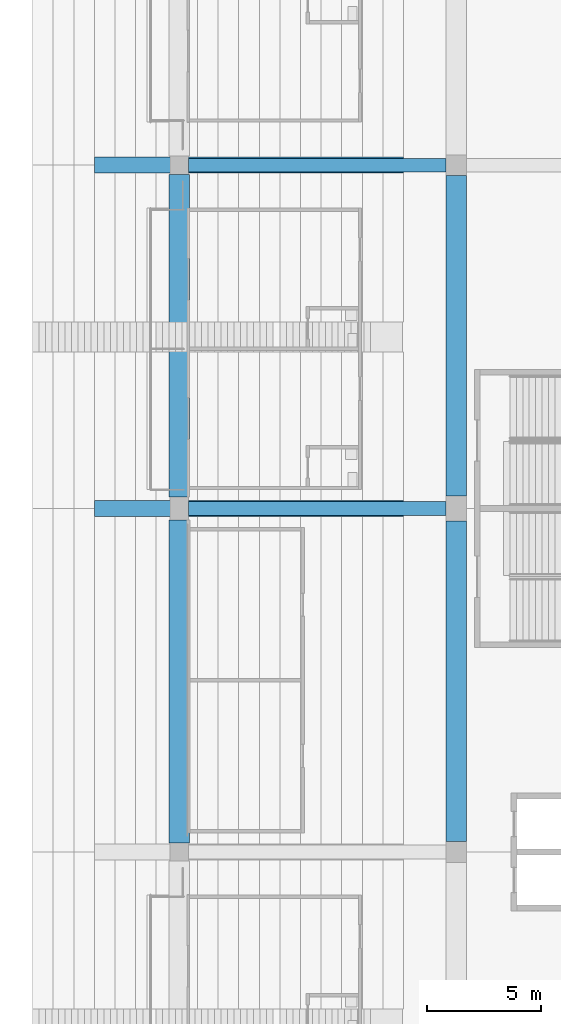
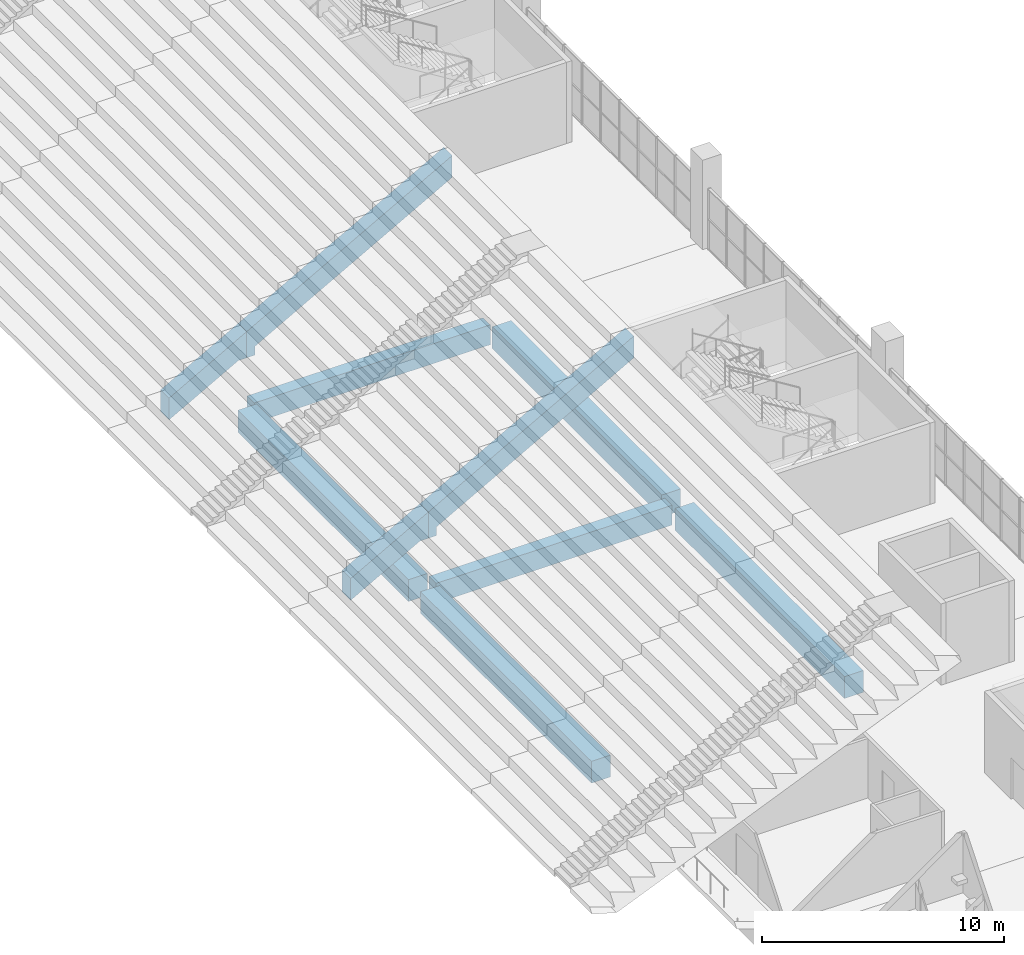
# One storey, part 36 of 249: 10 beams.
"""IFC4 building model written with IfcOpenShell, lengths in metres."""

from ifc_helpers import new_model, si_unit, direction, frame, origin, origin_2d, place, context, subcontext, project, spatial, polyline, rectangle, outline, extrude, material, material_profile, profile_set, type_object, element, save


model = new_model("IFC4")

# Units and contexts
model_context = context("Model", 3, precision=1e-05, world=origin(), true_north=direction((0.0, 1.0)))
body_context = subcontext(model_context, "Body", "Model", "MODEL_VIEW")
ifc_project = project(units=[si_unit("LENGTHUNIT", "METRE"), si_unit("AREAUNIT", "SQUARE_METRE"), si_unit("VOLUMEUNIT", "CUBIC_METRE"), si_unit("PLANEANGLEUNIT", "RADIAN"), si_unit("MASSUNIT", "GRAM", prefix="KILO")], contexts=[model_context])

# Site, building, storey
site_placement = place(None, origin())
site = spatial("IfcSite", under=ifc_project, at=site_placement, CompositionType="ELEMENT")
building_placement = place(site_placement, origin())
building = spatial("IfcBuilding", under=site, at=building_placement, Name="Ogive Plaza Stadium", CompositionType="ELEMENT")
storey_placement = place(building_placement, frame((0.0, 0.0, 13.5)))
storey = spatial("IfcBuildingStorey", under=building, at=storey_placement, Name="L03", CompositionType="ELEMENT", Elevation=13.5)

# Beams
ifc_material_1 = material(Name="Concrete C45/55 precast", Category="concrete")
ifc_material_profile_1 = material_profile(ifc_material_1, rectangle(XDim=0.699951171875, YDim=1.10009765625, at=origin_2d()), Name="RC 700x1100")
ifc_profile_set_1 = profile_set([ifc_material_profile_1], Name="Concrete C45/55 precast")
beam_type_1 = type_object("IfcBeamType", Name="Precast raker UT back-span 700x1100", PredefinedType="USERDEFINED", material=ifc_profile_set_1)
for number, where, z_axis, x_axis, name in (
    (1, (34.0, 22.5, -13.5), (0.0, 0.0, 1.0), (1.0, 0.0, 0.0), "RAKER UT BACK-SPAN R03"),
    (2, (34.0, 7.5, -13.5), (0.0, 0.0, 1.0), (1.0, 0.0, 0.0), "RAKER UT BACK-SPAN R04"),
):
    element("IfcBeam", number, at=place(storey_placement, frame(where, z_axis=z_axis, x_axis=x_axis)), inside=storey, type_object=beam_type_1, Name=name, ObjectType="RAKER", PredefinedType="USERDEFINED", context=body_context, shape_type="SweptSolid", body=[
        extrude(outline(polyline([(27.89990234375, 15.533203125), (28.300048828125, 15.533203125), (28.300048828125, 15.977783203125), (37.699951171875, 21.199951171875), (37.699951171875, 22.300048828125), (27.89990234375, 16.855712890625), (27.89990234375, 15.533203125)])), frame((0.0, 0.35009765625, 0.0), z_axis=(0.0, -1.0, 0.0), x_axis=(1.0, 0.0, 0.0)), (0.0, 0.0, 1.0), 0.699951171875),
    ])
ifc_material_2 = material(Name="Concrete C45/55 precast", Category="concrete")
ifc_material_profile_2 = material_profile(ifc_material_2, rectangle(XDim=0.699951171875, YDim=1.10009765625, at=origin_2d()), Name="RC 700x1100")
ifc_profile_set_2 = profile_set([ifc_material_profile_2], Name="Concrete C45/55 precast")
beam_type_2 = type_object("IfcBeamType", Name="Precast raker UT cantilever 700x1100", PredefinedType="USERDEFINED", material=ifc_profile_set_2)
for number, where, z_axis, x_axis, name in (
    (3, (34.0, 22.5, -13.5), (0.0, 0.0, 1.0), (1.0, 0.0, 0.0), "RAKER UT CANTILEVER R03"),
    (4, (34.0, 7.5, -13.5), (0.0, 0.0, 1.0), (1.0, 0.0, 0.0), "RAKER UT CANTILEVER R04"),
):
    element("IfcBeam", number, at=place(storey_placement, frame(where, z_axis=z_axis, x_axis=x_axis)), inside=storey, type_object=beam_type_2, Name=name, ObjectType="RAKER", PredefinedType="USERDEFINED", context=body_context, shape_type="SweptSolid", body=[
        extrude(outline(polyline([(24.199951171875, 13.699951171875), (27.5, 15.533203125), (27.89990234375, 15.533203125), (27.89990234375, 16.855712890625), (24.199951171875, 14.800048828125), (24.199951171875, 13.699951171875)])), frame((0.0, 0.35009765625, 0.0), z_axis=(0.0, -1.0, 0.0), x_axis=(1.0, 0.0, 0.0)), (0.0, 0.0, 1.0), 0.699951171875),
    ])
ifc_material_3 = material(Name="Concrete C40/50", Category="concrete")
ifc_material_profile_3 = material_profile(ifc_material_3, rectangle(XDim=0.60009765625, YDim=1.0, at=origin_2d()), Name="RC 600x1000")
ifc_profile_set_3 = profile_set([ifc_material_profile_3], Name="Concrete C40/50")
beam_type_3 = type_object("IfcBeamType", Name="RC radial beam 600x1000", PredefinedType="BEAM", material=ifc_profile_set_3)
for number, where, z_axis, x_axis, name in (
    (5, (62.300048828125, 22.5, -0.909912109375), (1.0, 0.0, 0.0), (0.0, 1.0, 0.0), "Radial beam L03 R03 F3F4"),
    (6, (62.300048828125, 7.5, -0.909912109375), (1.0, 0.0, 0.0), (0.0, 1.0, 0.0), "Radial beam L03 R04 F3F4"),
):
    element("IfcBeam", number, at=place(storey_placement, frame(where, z_axis=z_axis, x_axis=x_axis)), inside=storey, type_object=beam_type_3, Name=name, PredefinedType="BEAM", context=body_context, shape_type="SweptSolid", body=[
        extrude(rectangle(XDim=0.60009765625, YDim=1.0, at=origin_2d()), origin(), (0.0, 0.0, 1.0), 11.25),
    ])
ifc_material_4 = material(Name="Concrete C40/50", Category="concrete")
ifc_material_profile_4 = material_profile(ifc_material_4, rectangle(XDim=0.89990234375, YDim=1.10009765625, at=origin_2d()), Name="RC 900x1100")
ifc_profile_set_4 = profile_set([ifc_material_profile_4], Name="Concrete C40/50")
beam_type_4 = type_object("IfcBeamType", Name="RC ring beam 900x1100", PredefinedType="BEAM", material=ifc_profile_set_4)
beam_1_placement = place(storey_placement, frame((74.0, 22.050048828125, -0.9599609375), z_axis=(0.0, -1.0, 0.0), x_axis=(1.0, 0.0, 0.0)))
element("IfcBeam", 7, at=beam_1_placement, inside=storey, type_object=beam_type_4, Name="Ring beam F4 L03 B03", PredefinedType="BEAM", context=body_context, shape_type="SweptSolid", body=[
    extrude(rectangle(XDim=0.89990234375, YDim=1.10009765625, at=origin_2d()), origin(), (0.0, 0.0, 1.0), 14.0),
])
beam_2_placement = place(storey_placement, frame((61.89990234375, 22.10009765625, -0.9599609375), z_axis=(0.0, -1.0, 0.0), x_axis=(1.0, 0.0, 0.0)))
element("IfcBeam", 8, at=beam_2_placement, inside=storey, type_object=beam_type_4, Name="Ring beam F3 L03 B03", PredefinedType="BEAM", context=body_context, shape_type="SweptSolid", body=[
    extrude(rectangle(XDim=0.89990234375, YDim=1.10009765625, at=origin_2d()), origin(), (0.0, 0.0, 1.0), 14.10009765625),
])
beam_3_placement = place(storey_placement, frame((74.0, 6.949951171875, -0.9599609375), z_axis=(0.0, -1.0, 0.0), x_axis=(1.0, 0.0, 0.0)))
element("IfcBeam", 9, at=beam_3_placement, inside=storey, type_object=beam_type_4, Name="Ring beam F4 L03 B04", PredefinedType="BEAM", context=body_context, shape_type="SweptSolid", body=[
    extrude(rectangle(XDim=0.89990234375, YDim=1.10009765625, at=origin_2d()), origin(), (0.0, 0.0, 1.0), 14.0),
])
beam_4_placement = place(storey_placement, frame((61.89990234375, 7.0, -0.9599609375), z_axis=(0.0, -1.0, 0.0), x_axis=(1.0, 0.0, 0.0)))
element("IfcBeam", 10, at=beam_4_placement, inside=storey, type_object=beam_type_4, Name="Ring beam F3 L03 B04", PredefinedType="BEAM", context=body_context, shape_type="SweptSolid", body=[
    extrude(rectangle(XDim=0.89990234375, YDim=1.10009765625, at=origin_2d()), origin(), (0.0, 0.0, 1.0), 14.10009765625),
])

save(model, "model.ifc")
